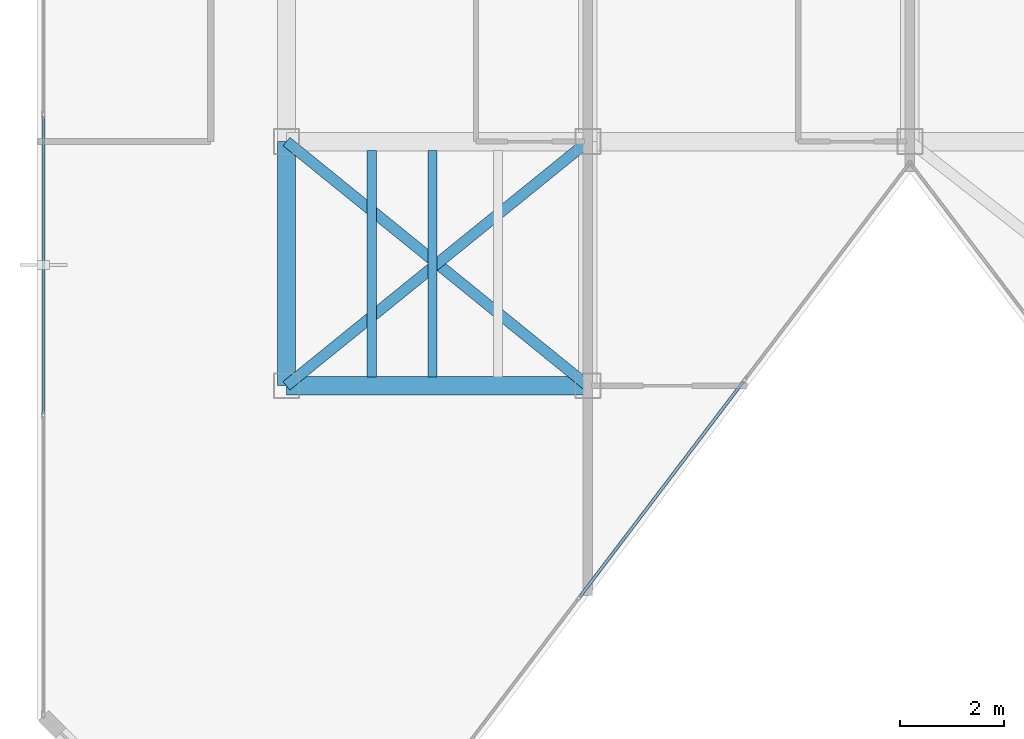
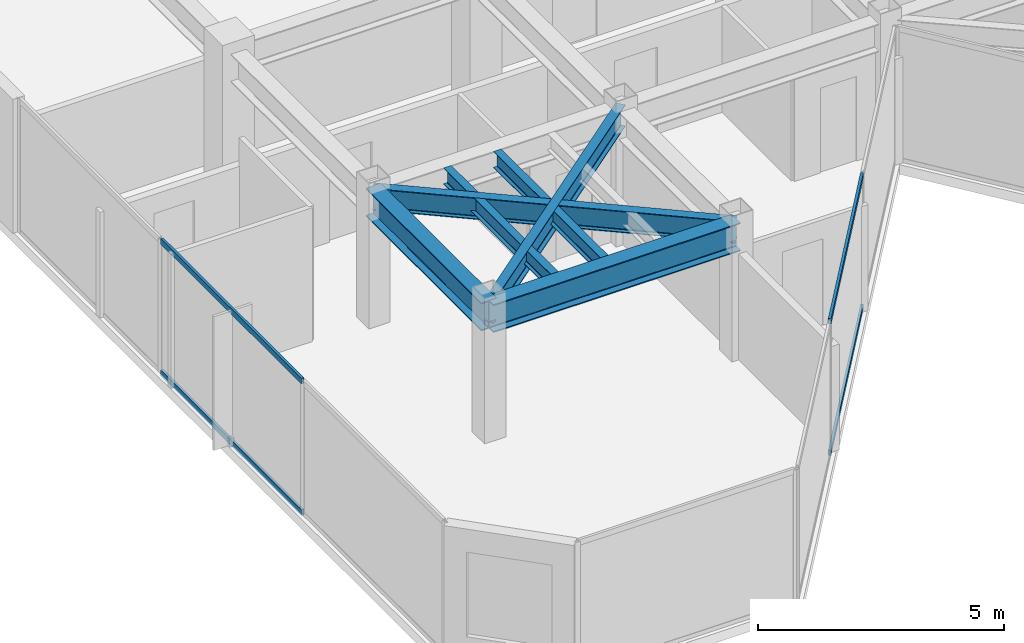
# One storey, part 3 of 19: 6 beams, 4 members, 2 elements without a shape of their own.
"""IFC4 building model written with IfcOpenShell, lengths in metres."""

from ifc_helpers import new_model, si_unit, direction, frame, origin, origin_2d, place, context, subcontext, project, spatial, hollow_rectangle, i_section, extrude, material, layer, layer_set, material_profile, profile_set, type_object, element, aggregate, save


model = new_model("IFC4")

# Units and contexts
model_context = context("Model", 3, precision=1e-05, world=origin(), true_north=direction((0.0, 1.0)))
body_context = subcontext(model_context, "Body", "Model", "MODEL_VIEW")
ifc_project = project(units=[si_unit("LENGTHUNIT", "METRE"), si_unit("AREAUNIT", "SQUARE_METRE"), si_unit("VOLUMEUNIT", "CUBIC_METRE"), si_unit("PLANEANGLEUNIT", "RADIAN"), si_unit("MASSUNIT", "GRAM", prefix="KILO")], contexts=[model_context])

# Site, building, storey
site_placement = place(None, origin())
site = spatial("IfcSite", under=ifc_project, at=site_placement, CompositionType="ELEMENT")
building_placement = place(site_placement, origin())
building = spatial("IfcBuilding", under=site, at=building_placement, Name="Kravanh Interchange Tower", CompositionType="ELEMENT")
storey_placement = place(building_placement, frame((0.0, 0.0, 274.199951171875)))
storey = spatial("IfcBuildingStorey", under=building, at=storey_placement, Name="L67", CompositionType="ELEMENT", Elevation=274.199951171875)

# Curtain wall, members
ifc_material_1 = material(Name="Anodised Bronze Aluminium", Category="aluminium")
ifc_layer = layer(ifc_material_1, 0.179931640625)
ifc_layer_set = layer_set([ifc_layer], Name="Unitised Curtain Wall System CW-HTL Luxury Hotel")
curtain_wall_type = type_object("IfcCurtainWallType", Name="Unitised Curtain Wall System CW-HTL Luxury Hotel", PredefinedType="NOTDEFINED", material=ifc_layer_set)
curtain_wall_1_placement = place(storey_placement, origin())
curtain_wall_1 = element("IfcCurtainWall", 1, at=curtain_wall_1_placement, inside=storey, type_object=curtain_wall_type, Name="L67 Unitised Curtain Wall CW-L67-01", PredefinedType="NOTDEFINED")
ifc_material_2 = material(Name="Anodised Bronze Aluminium", Category="aluminium")
ifc_material_profile_1 = material_profile(ifc_material_2, hollow_rectangle(XDim=0.06005859375, YDim=0.139892578125, WallThickness=0.00390625, at=origin_2d()), Name="ALU60X140X4")
ifc_profile_set_1 = profile_set([ifc_material_profile_1], Name="Anodised Bronze Aluminium")
member_type = type_object("IfcMemberType", Name="Curtain Wall Transom ALU60X140X4 Bronze", PredefinedType="USERDEFINED", material=ifc_profile_set_1)
member_1_placement = place(storey_placement, frame((28.1201171875, 26.26318359375, 0.030029296875), z_axis=(0.0, 1.0, 0.0), x_axis=(-1.0, 0.0, 0.0)))
member_1 = element("IfcMember", 2, at=member_1_placement, type_object=member_type, Name="CW-HTL transom 2.1", ObjectType="TRANSOM", PredefinedType="USERDEFINED", context=body_context, shape_type="SweptSolid", body=[
    extrude(hollow_rectangle(XDim=0.06005859375, YDim=0.139892578125, WallThickness=0.00390625, at=origin_2d()), origin(), (0.0, 0.0, 1.0), 5.723388671875),
])
member_2_placement = place(storey_placement, frame((28.1201171875, 26.26318359375, 3.2900390625), z_axis=(0.0, 1.0, 0.0), x_axis=(-1.0, 0.0, 0.0)))
member_2 = element("IfcMember", 3, at=member_2_placement, type_object=member_type, Name="CW-HTL transom 2.2", ObjectType="TRANSOM", PredefinedType="USERDEFINED", context=body_context, shape_type="SweptSolid", body=[
    extrude(hollow_rectangle(XDim=0.06005859375, YDim=0.139892578125, WallThickness=0.00390625, at=origin_2d()), origin(), (0.0, 0.0, 1.0), 5.723388671875),
])
aggregate(curtain_wall_1, [member_1, member_2])

curtain_wall_2_placement = place(storey_placement, origin())
curtain_wall_2 = element("IfcCurtainWall", 4, at=curtain_wall_2_placement, inside=storey, type_object=curtain_wall_type, Name="L67 Unitised Curtain Wall CW-L67-05", PredefinedType="NOTDEFINED")
member_3_placement = place(storey_placement, frame((41.595458984375, 26.881591796875, 0.030029296875), z_axis=(-0.605104668693, -0.796145928788, 0.0), x_axis=(0.796145928788, -0.605104668693, 0.0)))
member_3 = element("IfcMember", 5, at=member_3_placement, type_object=member_type, Name="CW-HTL transom 2.1", ObjectType="TRANSOM", PredefinedType="USERDEFINED", context=body_context, shape_type="SweptSolid", body=[
    extrude(hollow_rectangle(XDim=0.06005859375, YDim=0.139892578125, WallThickness=0.00390625, at=origin_2d()), origin(), (0.0, 0.0, 1.0), 5.206298828125),
])
member_4_placement = place(storey_placement, frame((41.595458984375, 26.881591796875, 3.2900390625), z_axis=(-0.605104668693, -0.796145928788, 0.0), x_axis=(0.796145928788, -0.605104668693, 0.0)))
member_4 = element("IfcMember", 6, at=member_4_placement, type_object=member_type, Name="CW-HTL transom 2.2", ObjectType="TRANSOM", PredefinedType="USERDEFINED", context=body_context, shape_type="SweptSolid", body=[
    extrude(hollow_rectangle(XDim=0.06005859375, YDim=0.139892578125, WallThickness=0.00390625, at=origin_2d()), origin(), (0.0, 0.0, 1.0), 5.206298828125),
])
aggregate(curtain_wall_2, [member_3, member_4])

# Beams
ifc_material_3 = material(Name="Structural Steel S355", Category="steel")
ifc_material_profile_2 = material_profile(ifc_material_3, i_section(OverallWidth=0.35498046875, OverallDepth=0.696044921875, WebThickness=0.015380859375, FlangeThickness=0.02490234375, FilletRadius=0.02392578125, at=origin_2d()), Name="W27X146")
ifc_profile_set_2 = profile_set([ifc_material_profile_2], Name="Structural Steel S355")
beam_type_1 = type_object("IfcBeamType", Name="Floor Beam W27X146 Structural Steel S355", PredefinedType="BEAM", material=ifc_profile_set_2)
beam_1_placement = place(storey_placement, frame((32.800048828125, 31.5, 2.97216796875), z_axis=(0.0, -1.0, 0.0), x_axis=(1.0, 0.0, 0.0)))
element("IfcBeam", 7, at=beam_1_placement, inside=storey, type_object=beam_type_1, Name="L67 Primary Floor Girder 21", PredefinedType="BEAM", context=body_context, shape_type="SweptSolid", body=[
    extrude(i_section(OverallWidth=0.35498046875, OverallDepth=0.696044921875, WebThickness=0.015380859375, FlangeThickness=0.02490234375, FilletRadius=0.02392578125, at=origin_2d()), origin(), (0.0, 0.0, 1.0), 4.699951171875),
])
beam_2_placement = place(storey_placement, frame((38.60009765625, 26.800048828125, 2.97216796875), z_axis=(-1.0, 0.0, 0.0), x_axis=(0.0, -1.0, 0.0)))
element("IfcBeam", 8, at=beam_2_placement, inside=storey, type_object=beam_type_1, Name="L67 Primary Floor Girder 24", PredefinedType="BEAM", context=body_context, shape_type="SweptSolid", body=[
    extrude(i_section(OverallWidth=0.35498046875, OverallDepth=0.696044921875, WebThickness=0.015380859375, FlangeThickness=0.02490234375, FilletRadius=0.02392578125, at=origin_2d()), origin(), (0.0, 0.0, 1.0), 5.800048828125),
])
ifc_material_4 = material(Name="Structural Steel S355", Category="steel")
ifc_material_profile_3 = material_profile(ifc_material_4, i_section(OverallWidth=0.177978515625, OverallDepth=0.406005859375, WebThickness=0.0078125, FlangeThickness=0.0126953125, FilletRadius=0.01611328125, at=origin_2d()), Name="W16X40")
ifc_profile_set_3 = profile_set([ifc_material_profile_3], Name="Structural Steel S355")
beam_type_2 = type_object("IfcBeamType", Name="Floor Joist W16X40 Structural Steel S355", PredefinedType="JOIST", material=ifc_profile_set_3)
for number, where, z_axis, x_axis, name in (
    (9, (34.43994140625, 26.972412109375, 3.116943359375), (0.0, 1.0, 0.0), (-1.0, 0.0, 0.0), "L67 Secondary Floor Joist 4"),
    (10, (35.610107421875, 26.972412109375, 3.116943359375), (0.0, 1.0, 0.0), (-1.0, 0.0, 0.0), "L67 Secondary Floor Joist 5"),
):
    element("IfcBeam", number, at=place(storey_placement, frame(where, z_axis=z_axis, x_axis=x_axis)), inside=storey, type_object=beam_type_2, Name=name, PredefinedType="JOIST", context=body_context, shape_type="SweptSolid", body=[
        extrude(i_section(OverallWidth=0.177978515625, OverallDepth=0.406005859375, WebThickness=0.0078125, FlangeThickness=0.0126953125, FilletRadius=0.01611328125, at=origin_2d()), origin(), (0.0, 0.0, 1.0), 4.35498046875),
    ])
ifc_material_5 = material(Name="Structural Steel S355", Category="steel")
ifc_material_profile_4 = material_profile(ifc_material_5, i_section(OverallWidth=0.2099609375, OverallDepth=0.537109375, WebThickness=0.010986328125, FlangeThickness=0.017333984375, FilletRadius=0.02001953125, at=origin_2d()), Name="W21X68")
ifc_profile_set_4 = profile_set([ifc_material_profile_4], Name="Structural Steel S355")
beam_type_3 = type_object("IfcBeamType", Name="Floor Spandrel W21X68 Structural Steel S355", PredefinedType="SPANDREL", material=ifc_profile_set_4)
for number, where, z_axis, x_axis, name in (
    (11, (38.60009765625, 31.5, 3.051513671875), (-0.776938619557, -0.629576350764, 0.0), (0.629576350764, -0.776938619557, 0.0), "L67 Perimeter Spandrel 20"),
    (12, (32.800048828125, 31.5, 3.051513671875), (0.776938619557, -0.629576350764, 0.0), (0.629576350764, 0.776938619557, 0.0), "L67 Perimeter Spandrel 23"),
):
    element("IfcBeam", number, at=place(storey_placement, frame(where, z_axis=z_axis, x_axis=x_axis)), inside=storey, type_object=beam_type_3, Name=name, PredefinedType="SPANDREL", context=body_context, shape_type="SweptSolid", body=[
        extrude(i_section(OverallWidth=0.2099609375, OverallDepth=0.537109375, WebThickness=0.010986328125, FlangeThickness=0.017333984375, FilletRadius=0.02001953125, at=origin_2d()), origin(), (0.0, 0.0, 1.0), 7.46533203125),
    ])

save(model, "model.ifc")
